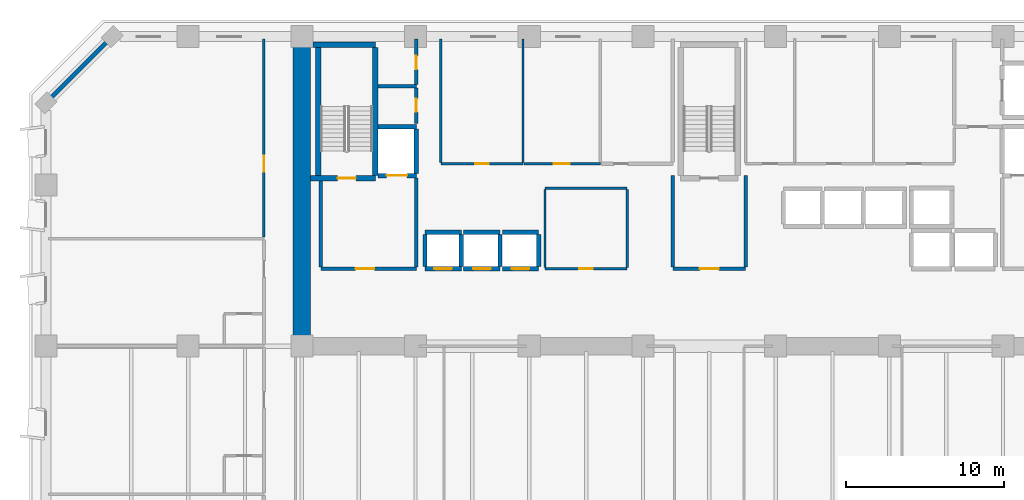
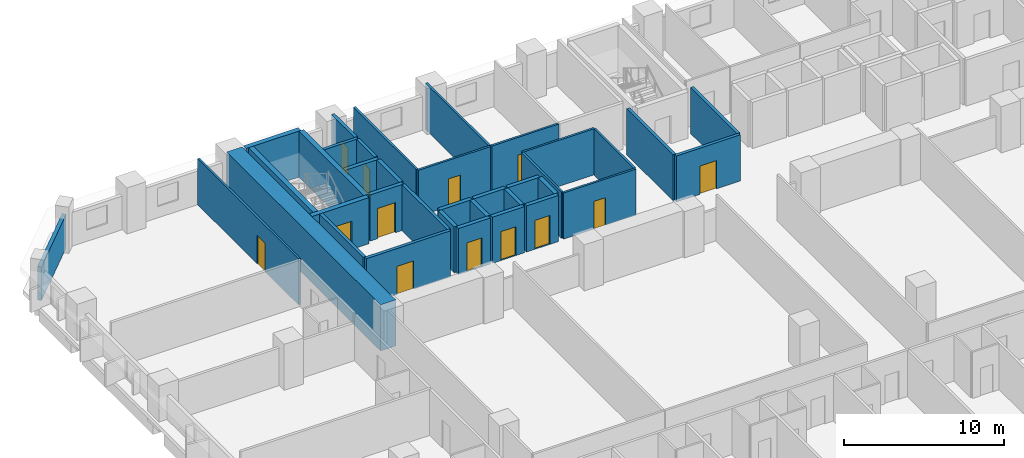
# One storey, part 8 of 16: 37 walls, 13 doors, 13 openings.
"""IFC4 building model written with IfcOpenShell, lengths in metres."""

from ifc_helpers import new_model, si_unit, direction, frame, frame_2d, origin, place, context, subcontext, project, spatial, rectangle, extrude, material, layer, layer_set, type_object, element, fill, save


model = new_model("IFC4")

# Units and contexts
model_context = context("Model", 3, precision=1e-05, world=origin(), true_north=direction((0.0, 1.0)))
body_context = subcontext(model_context, "Body", "Model", "MODEL_VIEW")
ifc_project = project(units=[si_unit("LENGTHUNIT", "METRE"), si_unit("AREAUNIT", "SQUARE_METRE"), si_unit("VOLUMEUNIT", "CUBIC_METRE"), si_unit("PLANEANGLEUNIT", "RADIAN"), si_unit("MASSUNIT", "GRAM", prefix="KILO")], contexts=[model_context])

# Site, building, storey
site_placement = place(None, origin())
site = spatial("IfcSite", under=ifc_project, at=site_placement, CompositionType="ELEMENT")
building_placement = place(site_placement, origin())
building = spatial("IfcBuilding", under=site, at=building_placement, Name="Kaelvorn Grand Hotel", CompositionType="ELEMENT")
storey_placement = place(building_placement, frame((0.0, 0.0, 35.14990234375)))
storey = spatial("IfcBuildingStorey", under=building, at=storey_placement, Name="L06", CompositionType="ELEMENT", Elevation=35.14990234375)

# Walls
ifc_material_1 = material(Name="Concrete C80/95", Category="concrete")
ifc_layer_1 = layer(ifc_material_1, 1.10009765625)
ifc_layer_set_1 = layer_set([ifc_layer_1], Name="Concrete C80/95")
wall_type_1 = type_object("IfcWallType", Name="WL-CORE-1100-C80", PredefinedType="SHEAR", material=ifc_layer_set_1)
wall_1_placement = place(storey_placement, frame((16.199951171875, 29.39990234375, 0.0), z_axis=(0.0, 0.0, 1.0), x_axis=(0.0, 1.0, 0.0)))
element("IfcWall", 1, at=wall_1_placement, inside=storey, type_object=wall_type_1, Name="L06 Rear-Core West Shear Wall", PredefinedType="SHEAR", context=body_context, shape_type="SweptSolid", body=[
    extrude(rectangle(XDim=19.2001953125, YDim=1.10009765625, at=frame_2d((9.60009765625, 0.0))), origin(), (0.0, 0.0, 1.0), 3.510009765625),
])
ifc_material_2 = material(Name="Concrete C40/50", Category="concrete")
ifc_layer_2 = layer(ifc_material_2, 0.260009765625)
ifc_layer_set_2 = layer_set([ifc_layer_2], Name="Concrete C40/50")
wall_type_2 = type_object("IfcWallType", Name="WL-EXT-260-C40", PredefinedType="SOLIDWALL", material=ifc_layer_set_2)
wall_2_placement = place(storey_placement, frame((4.199951171875, 49.0, 0.0), z_axis=(0.0, 0.0, 1.0), x_axis=(-0.707106781187, -0.707106781187, 0.0)))
element("IfcWall", 2, at=wall_2_placement, inside=storey, type_object=wall_type_2, Name="L06 Exterior Architectural Concrete Wall 06", PredefinedType="SOLIDWALL", context=body_context, shape_type="SweptSolid", body=[
    extrude(rectangle(XDim=5.939697265625, YDim=0.260009765625, at=frame_2d((2.9697265625, 0.0))), origin(), (0.0, 0.0, 1.0), 2.56005859375),
])

# Wall, opening, door
ifc_material_3 = material(Name="Acoustic Gypsum & Stud Partition")
ifc_layer_3 = layer(ifc_material_3, 0.14990234375)
ifc_layer_set_3 = layer_set([ifc_layer_3], Name="Acoustic Gypsum & Stud Partition")
wall_type_3 = type_object("IfcWallType", Name="WL-PART-150-EI60", PredefinedType="PARTITIONING", material=ifc_layer_set_3)
wall_3_placement = place(storey_placement, frame((31.60009765625, 34.300048828125, 0.0), z_axis=(0.0, 0.0, 1.0), x_axis=(1.0, 0.0, 0.0)))
wall_3 = element("IfcWall", 3, at=wall_3_placement, inside=storey, type_object=wall_type_3, Name="L06 Core Telecoms & BMS Server Room S Partition", PredefinedType="PARTITIONING", context=body_context, shape_type="SweptSolid", body=[
    extrude(rectangle(XDim=5.199951171875, YDim=0.14990234375, at=frame_2d((2.60009765625, 0.0))), origin(), (0.0, 0.0, 1.0), 3.510009765625),
])
opening_1_placement = place(wall_3_placement, frame((2.175048828125, 0.0, 0.0)))
opening_1 = element("IfcOpeningElement", 4, at=opening_1_placement, cuts=wall_3, Name="Opening DI7", PredefinedType="OPENING", context=body_context, shape_type="SweptSolid", body=[
    extrude(rectangle(XDim=0.85009765625, YDim=2.10009765625, at=frame_2d((0.425048828125, 1.050048828125))), frame((0.0, 0.0849609375, 0.0), z_axis=(0.0, -1.0, 0.0), x_axis=(1.0, 0.0, 0.0)), (0.0, 0.0, 1.0), 0.169921875),
])
ifc_material_4 = material(Name="Powder-Coated Steel Leaf", Category="steel")
door_type_1 = type_object("IfcDoorType", Name="DR-INT-RISER-850x2100", OperationType="NOTDEFINED", PredefinedType="DOOR", material=ifc_material_4)
door_1_placement = place(opening_1_placement, origin())
door_1 = element("IfcDoor", 5, at=door_1_placement, inside=storey, type_object=door_type_1, Name="L06 Core Telecoms & BMS Server Room Door", OperationType="SINGLE_SWING_LEFT", OverallHeight=2.10009765625, OverallWidth=0.85009765625, PredefinedType="DOOR", context=body_context, shape_type="SweptSolid", body=[
    extrude(rectangle(XDim=0.85009765625, YDim=2.10009765625, at=frame_2d((0.425048828125, 1.050048828125))), frame((0.0, 0.02490234375, 0.0), z_axis=(0.0, -1.0, 0.0), x_axis=(1.0, 0.0, 0.0)), (0.0, 0.0, 1.0), 0.050048828125),
])
fill(opening_1, door_1)

# Walls
wall_4_placement = place(storey_placement, frame((31.60009765625, 39.39990234375, 0.0), z_axis=(0.0, 0.0, 1.0), x_axis=(1.0, 0.0, 0.0)))
element("IfcWall", 6, at=wall_4_placement, inside=storey, type_object=wall_type_3, Name="L06 Core Telecoms & BMS Server Room N Partition", PredefinedType="PARTITIONING", context=body_context, shape_type="SweptSolid", body=[
    extrude(rectangle(XDim=5.199951171875, YDim=0.14990234375, at=frame_2d((2.60009765625, 0.0))), origin(), (0.0, 0.0, 1.0), 3.510009765625),
])
for number, where, z_axis, x_axis, name in (
    (7, (31.60009765625, 34.3798828125, 0.0), (0.0, 0.0, 1.0), (0.0, 1.0, 0.0), "L06 Core Telecoms & BMS Server Room W Partition"),
    (8, (36.800048828125, 34.3798828125, 0.0), (0.0, 0.0, 1.0), (0.0, 1.0, 0.0), "L06 Core Telecoms & BMS Server Room E Partition"),
):
    element("IfcWall", number, at=place(storey_placement, frame(where, z_axis=z_axis, x_axis=x_axis)), inside=storey, type_object=wall_type_3, Name=name, PredefinedType="PARTITIONING", context=body_context, shape_type="SweptSolid", body=[
        extrude(rectangle(XDim=4.940185546875, YDim=0.14990234375, at=frame_2d((2.47021484375, 0.0))), origin(), (0.0, 0.0, 1.0), 3.510009765625),
    ])

# Wall, opening, door
wall_5_placement = place(storey_placement, frame((25.0, 40.949951171875, 0.0), z_axis=(0.0, 0.0, 1.0), x_axis=(1.0, 0.0, 0.0)))
wall_5 = element("IfcWall", 9, at=wall_5_placement, inside=storey, type_object=wall_type_3, Name="L06 Housekeeping & Linen Room S Partition", PredefinedType="PARTITIONING", context=body_context, shape_type="SweptSolid", body=[
    extrude(rectangle(XDim=5.199951171875, YDim=0.14990234375, at=frame_2d((2.60009765625, 0.0))), origin(), (0.0, 0.0, 1.0), 3.510009765625),
])
opening_2_placement = place(wall_5_placement, frame((2.175048828125, 0.0, 0.0)))
opening_2 = element("IfcOpeningElement", 10, at=opening_2_placement, cuts=wall_5, Name="Opening DI7", PredefinedType="OPENING", context=body_context, shape_type="SweptSolid", body=[
    extrude(rectangle(XDim=0.85009765625, YDim=2.10009765625, at=frame_2d((0.425048828125, 1.050048828125))), frame((0.0, 0.0849609375, 0.0), z_axis=(0.0, -1.0, 0.0), x_axis=(1.0, 0.0, 0.0)), (0.0, 0.0, 1.0), 0.169921875),
])
door_2_placement = place(opening_2_placement, origin())
door_2 = element("IfcDoor", 11, at=door_2_placement, inside=storey, type_object=door_type_1, Name="L06 Housekeeping & Linen Room Door", OperationType="SINGLE_SWING_RIGHT", OverallHeight=2.10009765625, OverallWidth=0.85009765625, PredefinedType="DOOR", context=body_context, shape_type="SweptSolid", body=[
    extrude(rectangle(XDim=0.85009765625, YDim=2.10009765625, at=frame_2d((0.425048828125, 1.050048828125))), frame((0.0, 0.02490234375, 0.0), z_axis=(0.0, -1.0, 0.0), x_axis=(1.0, 0.0, 0.0)), (0.0, 0.0, 1.0), 0.050048828125),
])
fill(opening_2, door_2)

# Walls
for number, where, z_axis, x_axis, name in (
    (12, (25.0, 41.030029296875, 0.0), (0.0, 0.0, 1.0), (0.0, 1.0, 0.0), "L06 Housekeeping & Linen Room W Partition"),
    (13, (30.199951171875, 41.030029296875, 0.0), (0.0, 0.0, 1.0), (0.0, 1.0, 0.0), "L06 Housekeeping & Linen Room E Partition"),
):
    element("IfcWall", number, at=place(storey_placement, frame(where, z_axis=z_axis, x_axis=x_axis)), inside=storey, type_object=wall_type_3, Name=name, PredefinedType="PARTITIONING", context=body_context, shape_type="SweptSolid", body=[
        extrude(rectangle(XDim=7.820068359375, YDim=0.14990234375, at=frame_2d((3.91015625, 0.0))), origin(), (0.0, 0.0, 1.0), 3.510009765625),
    ])

# Wall, opening, door
wall_6_placement = place(storey_placement, frame((30.280029296875, 40.949951171875, 0.0), z_axis=(0.0, 0.0, 1.0), x_axis=(1.0, 0.0, 0.0)))
wall_6 = element("IfcWall", 14, at=wall_6_placement, inside=storey, type_object=wall_type_3, Name="L06 Room Service Servery Pantry S Partition", PredefinedType="PARTITIONING", context=body_context, shape_type="SweptSolid", body=[
    extrude(rectangle(XDim=4.820068359375, YDim=0.14990234375, at=frame_2d((2.41015625, 0.0))), origin(), (0.0, 0.0, 1.0), 3.510009765625),
])
opening_3_placement = place(wall_6_placement, frame((1.8701171875, 0.0, 0.0)))
opening_3 = element("IfcOpeningElement", 15, at=opening_3_placement, cuts=wall_6, Name="Opening DI3", PredefinedType="OPENING", context=body_context, shape_type="SweptSolid", body=[
    extrude(rectangle(XDim=1.0, YDim=2.14990234375, at=frame_2d((0.5, 1.074951171875))), frame((0.0, 0.0849609375, 0.0), z_axis=(0.0, -1.0, 0.0), x_axis=(1.0, 0.0, 0.0)), (0.0, 0.0, 1.0), 0.169921875),
])
ifc_material_5 = material(Name="Timber Veneer Fire Leaf", Category="wood")
door_type_2 = type_object("IfcDoorType", Name="DR-INT-GUEST-1000x2150", OperationType="NOTDEFINED", PredefinedType="DOOR", material=ifc_material_5)
door_3_placement = place(opening_3_placement, origin())
door_3 = element("IfcDoor", 16, at=door_3_placement, inside=storey, type_object=door_type_2, Name="L06 Room Service Servery Pantry Door", OperationType="SINGLE_SWING_LEFT", OverallHeight=2.14990234375, OverallWidth=1.0, PredefinedType="DOOR", context=body_context, shape_type="SweptSolid", body=[
    extrude(rectangle(XDim=1.0, YDim=2.14990234375, at=frame_2d((0.5, 1.074951171875))), frame((0.0, 0.02490234375, 0.0), z_axis=(0.0, -1.0, 0.0), x_axis=(1.0, 0.0, 0.0)), (0.0, 0.0, 1.0), 0.050048828125),
])
fill(opening_3, door_3)

wall_7_placement = place(storey_placement, frame((13.800048828125, 36.294921875, 0.0), z_axis=(0.0, 0.0, 1.0), x_axis=(0.0, 1.0, 0.0)))
wall_7 = element("IfcWall", 17, at=wall_7_placement, inside=storey, type_object=wall_type_3, Name="L06 North-West Business Secretariat Office E Partition", PredefinedType="PARTITIONING", context=body_context, shape_type="SweptSolid", body=[
    extrude(rectangle(XDim=12.55517578125, YDim=0.14990234375, at=frame_2d((6.277587890625, 0.0))), origin(), (0.0, 0.0, 1.0), 3.510009765625),
])
opening_4_placement = place(wall_7_placement, frame((4.155029296875, 0.0, 0.0)))
opening_4 = element("IfcOpeningElement", 18, at=opening_4_placement, cuts=wall_7, Name="Opening DI3", PredefinedType="OPENING", context=body_context, shape_type="SweptSolid", body=[
    extrude(rectangle(XDim=1.0, YDim=2.14990234375, at=frame_2d((0.5, 1.074951171875))), frame((0.0, 0.0849609375, 0.0), z_axis=(0.0, -1.0, 0.0), x_axis=(1.0, 0.0, 0.0)), (0.0, 0.0, 1.0), 0.169921875),
])
door_4_placement = place(opening_4_placement, origin())
door_4 = element("IfcDoor", 19, at=door_4_placement, inside=storey, type_object=door_type_2, Name="L06 North-West Business Secretariat Office Door", OperationType="SINGLE_SWING_LEFT", OverallHeight=2.14990234375, OverallWidth=1.0, PredefinedType="DOOR", context=body_context, shape_type="SweptSolid", body=[
    extrude(rectangle(XDim=1.0, YDim=2.14990234375, at=frame_2d((0.5, 1.074951171875))), frame((0.0, 0.02490234375, 0.0), z_axis=(0.0, -1.0, 0.0), x_axis=(1.0, 0.0, 0.0)), (0.0, 0.0, 1.0), 0.050048828125),
])
fill(opening_4, door_4)

ifc_layer_4 = layer(ifc_material_2, 0.219970703125)
ifc_layer_set_4 = layer_set([ifc_layer_4], Name="Concrete C40/50")
wall_type_4 = type_object("IfcWallType", Name="WL-PART-220-EI120", PredefinedType="PARTITIONING", material=ifc_layer_set_4)
wall_8_placement = place(storey_placement, frame((17.39990234375, 34.300048828125, 0.0), z_axis=(0.0, 0.0, 1.0), x_axis=(1.0, 0.0, 0.0)))
wall_8 = element("IfcWall", 20, at=wall_8_placement, inside=storey, type_object=wall_type_4, Name="L06 Firefighting Lift Lobby 1 S Partition", PredefinedType="PARTITIONING", context=body_context, shape_type="SweptSolid", body=[
    extrude(rectangle(XDim=6.050048828125, YDim=0.219970703125, at=frame_2d((3.02490234375, 0.0))), origin(), (0.0, 0.0, 1.0), 3.510009765625),
])
opening_5_placement = place(wall_8_placement, frame((2.199951171875, 0.0, 0.0)))
opening_5 = element("IfcOpeningElement", 21, at=opening_5_placement, cuts=wall_8, Name="Opening DI2", PredefinedType="OPENING", context=body_context, shape_type="SweptSolid", body=[
    extrude(rectangle(XDim=1.199951171875, YDim=2.14990234375, at=frame_2d((0.60009765625, 1.074951171875))), frame((0.0, 0.1201171875, 0.0), z_axis=(0.0, -1.0, 0.0), x_axis=(1.0, 0.0, 0.0)), (0.0, 0.0, 1.0), 0.239990234375),
])
door_type_3 = type_object("IfcDoorType", Name="DR-INT-FFLOB-1200x2150", OperationType="NOTDEFINED", PredefinedType="DOOR", material=ifc_material_5)
door_5_placement = place(opening_5_placement, origin())
door_5 = element("IfcDoor", 22, at=door_5_placement, inside=storey, type_object=door_type_3, Name="L06 Firefighting Lift Lobby 1 Door", OperationType="SINGLE_SWING_LEFT", OverallHeight=2.14990234375, OverallWidth=1.199951171875, PredefinedType="DOOR", context=body_context, shape_type="SweptSolid", body=[
    extrude(rectangle(XDim=1.199951171875, YDim=2.14990234375, at=frame_2d((0.60009765625, 1.074951171875))), frame((0.0, 0.02490234375, 0.0), z_axis=(0.0, -1.0, 0.0), x_axis=(1.0, 0.0, 0.0)), (0.0, 0.0, 1.0), 0.050048828125),
])
fill(opening_5, door_5)

# Walls
wall_9_placement = place(storey_placement, frame((17.39990234375, 34.4150390625, 0.0), z_axis=(0.0, 0.0, 1.0), x_axis=(0.0, 1.0, 0.0)))
element("IfcWall", 23, at=wall_9_placement, inside=storey, type_object=wall_type_4, Name="L06 Firefighting Lift Lobby 1 W Partition", PredefinedType="PARTITIONING", context=body_context, shape_type="SweptSolid", body=[
    extrude(rectangle(XDim=5.429931640625, YDim=0.219970703125, at=frame_2d((2.71484375, 0.0))), origin(), (0.0, 0.0, 1.0), 3.510009765625),
])
wall_10_placement = place(storey_placement, frame((23.449951171875, 34.4150390625, 0.0), z_axis=(0.0, 0.0, 1.0), x_axis=(0.0, 1.0, 0.0)))
element("IfcWall", 24, at=wall_10_placement, inside=storey, type_object=wall_type_4, Name="L06 Firefighting Lift Lobby 1 E Partition", PredefinedType="PARTITIONING", context=body_context, shape_type="SweptSolid", body=[
    extrude(rectangle(XDim=5.639892578125, YDim=0.219970703125, at=frame_2d((2.81982421875, 0.0))), origin(), (0.0, 0.0, 1.0), 3.510009765625),
])

# Wall, opening, door
wall_11_placement = place(storey_placement, frame((39.699951171875, 34.300048828125, 0.0), z_axis=(0.0, 0.0, 1.0), x_axis=(1.0, 0.0, 0.0)))
wall_11 = element("IfcWall", 25, at=wall_11_placement, inside=storey, type_object=wall_type_4, Name="L06 Central Stair Escape Vestibule S Partition", PredefinedType="PARTITIONING", context=body_context, shape_type="SweptSolid", body=[
    extrude(rectangle(XDim=4.60009765625, YDim=0.219970703125, at=frame_2d((2.300048828125, 0.0))), origin(), (0.0, 0.0, 1.0), 3.510009765625),
])
opening_6_placement = place(wall_11_placement, frame((1.699951171875, 0.0, 0.0)))
opening_6 = element("IfcOpeningElement", 26, at=opening_6_placement, cuts=wall_11, Name="Opening DI2", PredefinedType="OPENING", context=body_context, shape_type="SweptSolid", body=[
    extrude(rectangle(XDim=1.199951171875, YDim=2.14990234375, at=frame_2d((0.60009765625, 1.074951171875))), frame((0.0, 0.1201171875, 0.0), z_axis=(0.0, -1.0, 0.0), x_axis=(1.0, 0.0, 0.0)), (0.0, 0.0, 1.0), 0.239990234375),
])
door_6_placement = place(opening_6_placement, origin())
door_6 = element("IfcDoor", 27, at=door_6_placement, inside=storey, type_object=door_type_3, Name="L06 Central Stair Escape Vestibule Door", OperationType="SINGLE_SWING_LEFT", OverallHeight=2.14990234375, OverallWidth=1.199951171875, PredefinedType="DOOR", context=body_context, shape_type="SweptSolid", body=[
    extrude(rectangle(XDim=1.199951171875, YDim=2.14990234375, at=frame_2d((0.60009765625, 1.074951171875))), frame((0.0, 0.02490234375, 0.0), z_axis=(0.0, -1.0, 0.0), x_axis=(1.0, 0.0, 0.0)), (0.0, 0.0, 1.0), 0.050048828125),
])
fill(opening_6, door_6)

# Walls
for number, where, z_axis, x_axis, name in (
    (28, (39.699951171875, 34.4150390625, 0.0), (0.0, 0.0, 1.0), (0.0, 1.0, 0.0), "L06 Central Stair Escape Vestibule W Partition"),
    (29, (44.300048828125, 34.4150390625, 0.0), (0.0, 0.0, 1.0), (0.0, 1.0, 0.0), "L06 Central Stair Escape Vestibule E Partition"),
):
    element("IfcWall", number, at=place(storey_placement, frame(where, z_axis=z_axis, x_axis=x_axis)), inside=storey, type_object=wall_type_4, Name=name, PredefinedType="PARTITIONING", context=body_context, shape_type="SweptSolid", body=[
        extrude(rectangle(XDim=5.784912109375, YDim=0.219970703125, at=frame_2d((2.892578125, 0.0))), origin(), (0.0, 0.0, 1.0), 3.510009765625),
    ])
wall_12_placement = place(storey_placement, frame((21.034912109375, 45.85009765625, 0.0), z_axis=(0.0, 0.0, 1.0), x_axis=(1.0, 0.0, 0.0)))
element("IfcWall", 30, at=wall_12_placement, inside=storey, type_object=wall_type_4, Name="L06 Wet Fire & Plumbing Riser Shaft N Partition", PredefinedType="PARTITIONING", context=body_context, shape_type="SweptSolid", body=[
    extrude(rectangle(XDim=2.4150390625, YDim=0.219970703125, at=frame_2d((1.20751953125, 0.0))), origin(), (0.0, 0.0, 1.0), 3.510009765625),
])

# Wall, opening, door
wall_13_placement = place(storey_placement, frame((23.449951171875, 43.5, 0.0), z_axis=(0.0, 0.0, 1.0), x_axis=(0.0, 1.0, 0.0)))
wall_13 = element("IfcWall", 31, at=wall_13_placement, inside=storey, type_object=wall_type_4, Name="L06 Wet Fire & Plumbing Riser Shaft E Partition", PredefinedType="PARTITIONING", context=body_context, shape_type="SweptSolid", body=[
    extrude(rectangle(XDim=2.235107421875, YDim=0.219970703125, at=frame_2d((1.11767578125, 0.0))), origin(), (0.0, 0.0, 1.0), 3.510009765625),
])
opening_7_placement = place(wall_13_placement, frame((0.72509765625, 0.0, 0.0)))
opening_7 = element("IfcOpeningElement", 32, at=opening_7_placement, cuts=wall_13, Name="Opening DI7", PredefinedType="OPENING", context=body_context, shape_type="SweptSolid", body=[
    extrude(rectangle(XDim=0.85009765625, YDim=2.10009765625, at=frame_2d((0.425048828125, 1.050048828125))), frame((0.0, 0.1201171875, 0.0), z_axis=(0.0, -1.0, 0.0), x_axis=(1.0, 0.0, 0.0)), (0.0, 0.0, 1.0), 0.239990234375),
])
door_7_placement = place(opening_7_placement, origin())
door_7 = element("IfcDoor", 33, at=door_7_placement, inside=storey, type_object=door_type_1, Name="L06 Wet Fire & Plumbing Riser Shaft Door", OperationType="SINGLE_SWING_LEFT", OverallHeight=2.10009765625, OverallWidth=0.85009765625, PredefinedType="DOOR", context=body_context, shape_type="SweptSolid", body=[
    extrude(rectangle(XDim=0.85009765625, YDim=2.10009765625, at=frame_2d((0.425048828125, 1.050048828125))), frame((0.0, 0.02490234375, 0.0), z_axis=(0.0, -1.0, 0.0), x_axis=(1.0, 0.0, 0.0)), (0.0, 0.0, 1.0), 0.050048828125),
])
fill(opening_7, door_7)

wall_14_placement = place(storey_placement, frame((23.449951171875, 45.965087890625, 0.0), z_axis=(0.0, 0.0, 1.0), x_axis=(0.0, 1.0, 0.0)))
wall_14 = element("IfcWall", 34, at=wall_14_placement, inside=storey, type_object=wall_type_4, Name="L06 HV Electrical & Smoke Riser E Partition", PredefinedType="PARTITIONING", context=body_context, shape_type="SweptSolid", body=[
    extrude(rectangle(XDim=2.885009765625, YDim=0.219970703125, at=frame_2d((1.4423828125, 0.0))), origin(), (0.0, 0.0, 1.0), 3.510009765625),
])
opening_8_placement = place(wall_14_placement, frame((0.9599609375, 0.0, 0.0)))
opening_8 = element("IfcOpeningElement", 35, at=opening_8_placement, cuts=wall_14, Name="Opening DI7", PredefinedType="OPENING", context=body_context, shape_type="SweptSolid", body=[
    extrude(rectangle(XDim=0.85009765625, YDim=2.10009765625, at=frame_2d((0.425048828125, 1.050048828125))), frame((0.0, 0.1201171875, 0.0), z_axis=(0.0, -1.0, 0.0), x_axis=(1.0, 0.0, 0.0)), (0.0, 0.0, 1.0), 0.239990234375),
])
door_8_placement = place(opening_8_placement, origin())
door_8 = element("IfcDoor", 36, at=door_8_placement, inside=storey, type_object=door_type_1, Name="L06 HV Electrical & Smoke Riser Door", OperationType="SINGLE_SWING_RIGHT", OverallHeight=2.10009765625, OverallWidth=0.85009765625, PredefinedType="DOOR", context=body_context, shape_type="SweptSolid", body=[
    extrude(rectangle(XDim=0.85009765625, YDim=2.10009765625, at=frame_2d((0.425048828125, 1.050048828125))), frame((0.0, 0.02490234375, 0.0), z_axis=(0.0, -1.0, 0.0), x_axis=(1.0, 0.0, 0.0)), (0.0, 0.0, 1.0), 0.050048828125),
])
fill(opening_8, door_8)

ifc_material_6 = material(Name="Concrete C50/60", Category="concrete")
ifc_layer_5 = layer(ifc_material_6, 0.280029296875)
ifc_layer_set_5 = layer_set([ifc_layer_5], Name="Concrete C50/60")
wall_type_5 = type_object("IfcWallType", Name="WL-SHAFT-280-C50", PredefinedType="SHEAR", material=ifc_layer_set_5)
wall_15_placement = place(storey_placement, frame((24.0, 34.300048828125, 0.0), z_axis=(0.0, 0.0, 1.0), x_axis=(1.0, 0.0, 0.0)))
wall_15 = element("IfcWall", 37, at=wall_15_placement, inside=storey, type_object=wall_type_5, Name="L06 Lift PL-L1 Shaft South Wall", PredefinedType="SHEAR", context=body_context, shape_type="SweptSolid", body=[
    extrude(rectangle(XDim=2.300048828125, YDim=0.280029296875, at=frame_2d((1.14990234375, 0.0))), origin(), (0.0, 0.0, 1.0), 3.510009765625),
])
opening_9_placement = place(wall_15_placement, frame((0.60009765625, 0.0, 0.0)))
opening_9 = element("IfcOpeningElement", 38, at=opening_9_placement, cuts=wall_15, Name="Opening LD-PL-L1", PredefinedType="OPENING", context=body_context, shape_type="SweptSolid", body=[
    extrude(rectangle(XDim=1.10009765625, YDim=2.199951171875, at=frame_2d((0.550048828125, 1.10009765625))), frame((0.0, 0.14990234375, 0.0), z_axis=(0.0, -1.0, 0.0), x_axis=(1.0, 0.0, 0.0)), (0.0, 0.0, 1.0), 0.300048828125),
])
ifc_material_7 = material(Name="Stainless Steel", Category="steel")
door_type_4 = type_object("IfcDoorType", Name="DR-LIFT-PASS-1100x2200", OperationType="DOUBLE_DOOR_SLIDING", PredefinedType="DOOR", material=ifc_material_7)
door_9_placement = place(opening_9_placement, origin())
door_9 = element("IfcDoor", 39, at=door_9_placement, inside=storey, type_object=door_type_4, Name="L06 Lift PL-L1 Sliding Landing Door LD-PL-L1", OperationType="DOUBLE_DOOR_SLIDING", OverallHeight=2.199951171875, OverallWidth=1.10009765625, PredefinedType="DOOR", context=body_context, shape_type="SweptSolid", body=[
    extrude(rectangle(XDim=1.10009765625, YDim=2.199951171875, at=frame_2d((0.550048828125, 1.10009765625))), frame((0.0, 0.02490234375, 0.0), z_axis=(0.0, -1.0, 0.0), x_axis=(1.0, 0.0, 0.0)), (0.0, 0.0, 1.0), 0.050048828125),
])
fill(opening_9, door_9)

# Walls
wall_16_placement = place(storey_placement, frame((24.0, 36.60009765625, 0.0), z_axis=(0.0, 0.0, 1.0), x_axis=(1.0, 0.0, 0.0)))
element("IfcWall", 40, at=wall_16_placement, inside=storey, type_object=wall_type_5, Name="L06 Lift PL-L1 Shaft North Wall", PredefinedType="SHEAR", context=body_context, shape_type="SweptSolid", body=[
    extrude(rectangle(XDim=2.300048828125, YDim=0.280029296875, at=frame_2d((1.14990234375, 0.0))), origin(), (0.0, 0.0, 1.0), 3.510009765625),
])
for number, where, z_axis, x_axis, name in (
    (41, (24.0, 34.445068359375, 0.0), (0.0, 0.0, 1.0), (0.0, 1.0, 0.0), "L06 Lift PL-L1 Shaft West Wall"),
    (42, (26.300048828125, 34.445068359375, 0.0), (0.0, 0.0, 1.0), (0.0, 1.0, 0.0), "L06 Lift PL-L1 Shaft East Wall"),
):
    element("IfcWall", number, at=place(storey_placement, frame(where, z_axis=z_axis, x_axis=x_axis)), inside=storey, type_object=wall_type_5, Name=name, PredefinedType="SHEAR", context=body_context, shape_type="SweptSolid", body=[
        extrude(rectangle(XDim=2.010009765625, YDim=0.280029296875, at=frame_2d((1.0048828125, 0.0))), origin(), (0.0, 0.0, 1.0), 3.510009765625),
    ])

# Wall, opening, door
wall_17_placement = place(storey_placement, frame((26.449951171875, 34.300048828125, 0.0), z_axis=(0.0, 0.0, 1.0), x_axis=(1.0, 0.0, 0.0)))
wall_17 = element("IfcWall", 43, at=wall_17_placement, inside=storey, type_object=wall_type_5, Name="L06 Lift PL-L2 Shaft South Wall", PredefinedType="SHEAR", context=body_context, shape_type="SweptSolid", body=[
    extrude(rectangle(XDim=2.300048828125, YDim=0.280029296875, at=frame_2d((1.14990234375, 0.0))), origin(), (0.0, 0.0, 1.0), 3.510009765625),
])
opening_10_placement = place(wall_17_placement, frame((0.60009765625, 0.0, 0.0)))
opening_10 = element("IfcOpeningElement", 44, at=opening_10_placement, cuts=wall_17, Name="Opening LD-PL-L2", PredefinedType="OPENING", context=body_context, shape_type="SweptSolid", body=[
    extrude(rectangle(XDim=1.10009765625, YDim=2.199951171875, at=frame_2d((0.550048828125, 1.10009765625))), frame((0.0, 0.14990234375, 0.0), z_axis=(0.0, -1.0, 0.0), x_axis=(1.0, 0.0, 0.0)), (0.0, 0.0, 1.0), 0.300048828125),
])
door_10_placement = place(opening_10_placement, origin())
door_10 = element("IfcDoor", 45, at=door_10_placement, inside=storey, type_object=door_type_4, Name="L06 Lift PL-L2 Sliding Landing Door LD-PL-L2", OperationType="DOUBLE_DOOR_SLIDING", OverallHeight=2.199951171875, OverallWidth=1.10009765625, PredefinedType="DOOR", context=body_context, shape_type="SweptSolid", body=[
    extrude(rectangle(XDim=1.10009765625, YDim=2.199951171875, at=frame_2d((0.550048828125, 1.10009765625))), frame((0.0, 0.02490234375, 0.0), z_axis=(0.0, -1.0, 0.0), x_axis=(1.0, 0.0, 0.0)), (0.0, 0.0, 1.0), 0.050048828125),
])
fill(opening_10, door_10)

# Walls
wall_18_placement = place(storey_placement, frame((26.449951171875, 36.60009765625, 0.0), z_axis=(0.0, 0.0, 1.0), x_axis=(1.0, 0.0, 0.0)))
element("IfcWall", 46, at=wall_18_placement, inside=storey, type_object=wall_type_5, Name="L06 Lift PL-L2 Shaft North Wall", PredefinedType="SHEAR", context=body_context, shape_type="SweptSolid", body=[
    extrude(rectangle(XDim=2.300048828125, YDim=0.280029296875, at=frame_2d((1.14990234375, 0.0))), origin(), (0.0, 0.0, 1.0), 3.510009765625),
])
wall_19_placement = place(storey_placement, frame((28.75, 34.445068359375, 0.0), z_axis=(0.0, 0.0, 1.0), x_axis=(0.0, 1.0, 0.0)))
element("IfcWall", 47, at=wall_19_placement, inside=storey, type_object=wall_type_5, Name="L06 Lift PL-L2 Shaft East Wall", PredefinedType="SHEAR", context=body_context, shape_type="SweptSolid", body=[
    extrude(rectangle(XDim=2.010009765625, YDim=0.280029296875, at=frame_2d((1.0048828125, 0.0))), origin(), (0.0, 0.0, 1.0), 3.510009765625),
])

# Wall, opening, door
wall_20_placement = place(storey_placement, frame((28.89990234375, 34.300048828125, 0.0), z_axis=(0.0, 0.0, 1.0), x_axis=(1.0, 0.0, 0.0)))
wall_20 = element("IfcWall", 48, at=wall_20_placement, inside=storey, type_object=wall_type_5, Name="L06 Lift PL-L3 Shaft South Wall", PredefinedType="SHEAR", context=body_context, shape_type="SweptSolid", body=[
    extrude(rectangle(XDim=2.300048828125, YDim=0.280029296875, at=frame_2d((1.14990234375, 0.0))), origin(), (0.0, 0.0, 1.0), 3.510009765625),
])
opening_11_placement = place(wall_20_placement, frame((0.60009765625, 0.0, 0.0)))
opening_11 = element("IfcOpeningElement", 49, at=opening_11_placement, cuts=wall_20, Name="Opening LD-PL-L3", PredefinedType="OPENING", context=body_context, shape_type="SweptSolid", body=[
    extrude(rectangle(XDim=1.10009765625, YDim=2.199951171875, at=frame_2d((0.550048828125, 1.10009765625))), frame((0.0, 0.14990234375, 0.0), z_axis=(0.0, -1.0, 0.0), x_axis=(1.0, 0.0, 0.0)), (0.0, 0.0, 1.0), 0.300048828125),
])
door_11_placement = place(opening_11_placement, origin())
door_11 = element("IfcDoor", 50, at=door_11_placement, inside=storey, type_object=door_type_4, Name="L06 Lift PL-L3 Sliding Landing Door LD-PL-L3", OperationType="DOUBLE_DOOR_SLIDING", OverallHeight=2.199951171875, OverallWidth=1.10009765625, PredefinedType="DOOR", context=body_context, shape_type="SweptSolid", body=[
    extrude(rectangle(XDim=1.10009765625, YDim=2.199951171875, at=frame_2d((0.550048828125, 1.10009765625))), frame((0.0, 0.02490234375, 0.0), z_axis=(0.0, -1.0, 0.0), x_axis=(1.0, 0.0, 0.0)), (0.0, 0.0, 1.0), 0.050048828125),
])
fill(opening_11, door_11)

# Walls
wall_21_placement = place(storey_placement, frame((28.89990234375, 36.60009765625, 0.0), z_axis=(0.0, 0.0, 1.0), x_axis=(1.0, 0.0, 0.0)))
element("IfcWall", 51, at=wall_21_placement, inside=storey, type_object=wall_type_5, Name="L06 Lift PL-L3 Shaft North Wall", PredefinedType="SHEAR", context=body_context, shape_type="SweptSolid", body=[
    extrude(rectangle(XDim=2.300048828125, YDim=0.280029296875, at=frame_2d((1.14990234375, 0.0))), origin(), (0.0, 0.0, 1.0), 3.510009765625),
])
wall_22_placement = place(storey_placement, frame((31.199951171875, 34.445068359375, 0.0), z_axis=(0.0, 0.0, 1.0), x_axis=(0.0, 1.0, 0.0)))
element("IfcWall", 52, at=wall_22_placement, inside=storey, type_object=wall_type_5, Name="L06 Lift PL-L3 Shaft East Wall", PredefinedType="SHEAR", context=body_context, shape_type="SweptSolid", body=[
    extrude(rectangle(XDim=2.010009765625, YDim=0.280029296875, at=frame_2d((1.0048828125, 0.0))), origin(), (0.0, 0.0, 1.0), 3.510009765625),
])

# Wall, opening, door
wall_23_placement = place(storey_placement, frame((21.034912109375, 40.199951171875, 0.0), z_axis=(0.0, 0.0, 1.0), x_axis=(1.0, 0.0, 0.0)))
wall_23 = element("IfcWall", 53, at=wall_23_placement, inside=storey, type_object=wall_type_5, Name="L06 Lift FFL1 Shaft South Wall", PredefinedType="SHEAR", context=body_context, shape_type="SweptSolid", body=[
    extrude(rectangle(XDim=2.4150390625, YDim=0.280029296875, at=frame_2d((1.20751953125, 0.0))), origin(), (0.0, 0.0, 1.0), 3.510009765625),
])
opening_12_placement = place(wall_23_placement, frame((0.5400390625, 0.0, 0.0)))
opening_12 = element("IfcOpeningElement", 54, at=opening_12_placement, cuts=wall_23, Name="Opening LD-FFL1", PredefinedType="OPENING", context=body_context, shape_type="SweptSolid", body=[
    extrude(rectangle(XDim=1.300048828125, YDim=2.300048828125, at=frame_2d((0.64990234375, 1.14990234375))), frame((0.0, 0.14990234375, 0.0), z_axis=(0.0, -1.0, 0.0), x_axis=(1.0, 0.0, 0.0)), (0.0, 0.0, 1.0), 0.300048828125),
])
door_type_5 = type_object("IfcDoorType", Name="DR-LIFT-SERV-1300x2300", OperationType="DOUBLE_DOOR_SLIDING", PredefinedType="DOOR", material=ifc_material_7)
door_12_placement = place(opening_12_placement, origin())
door_12 = element("IfcDoor", 55, at=door_12_placement, inside=storey, type_object=door_type_5, Name="L06 Lift FFL1 Sliding Landing Door LD-FFL1", OperationType="DOUBLE_DOOR_SLIDING", OverallHeight=2.300048828125, OverallWidth=1.300048828125, PredefinedType="DOOR", context=body_context, shape_type="SweptSolid", body=[
    extrude(rectangle(XDim=1.300048828125, YDim=2.300048828125, at=frame_2d((0.64990234375, 1.14990234375))), frame((0.0, 0.02490234375, 0.0), z_axis=(0.0, -1.0, 0.0), x_axis=(1.0, 0.0, 0.0)), (0.0, 0.0, 1.0), 0.050048828125),
])
fill(opening_12, door_12)

# Walls
wall_24_placement = place(storey_placement, frame((21.034912109375, 43.300048828125, 0.0), z_axis=(0.0, 0.0, 1.0), x_axis=(1.0, 0.0, 0.0)))
element("IfcWall", 56, at=wall_24_placement, inside=storey, type_object=wall_type_5, Name="L06 Lift FFL1 Shaft North Wall", PredefinedType="SHEAR", context=body_context, shape_type="SweptSolid", body=[
    extrude(rectangle(XDim=2.4150390625, YDim=0.280029296875, at=frame_2d((1.20751953125, 0.0))), origin(), (0.0, 0.0, 1.0), 3.510009765625),
])
wall_25_placement = place(storey_placement, frame((23.449951171875, 40.344970703125, 0.0), z_axis=(0.0, 0.0, 1.0), x_axis=(0.0, 1.0, 0.0)))
element("IfcWall", 57, at=wall_25_placement, inside=storey, type_object=wall_type_5, Name="L06 Lift FFL1 Shaft East Wall", PredefinedType="SHEAR", context=body_context, shape_type="SweptSolid", body=[
    extrude(rectangle(XDim=2.81005859375, YDim=0.280029296875, at=frame_2d((1.405029296875, 0.0))), origin(), (0.0, 0.0, 1.0), 3.510009765625),
])

# Wall, opening, door
ifc_material_8 = material(Name="Concrete C60/75", Category="concrete")
ifc_layer_6 = layer(ifc_material_8, 0.35009765625)
ifc_layer_set_6 = layer_set([ifc_layer_6], Name="Concrete C60/75")
wall_type_6 = type_object("IfcWallType", Name="WL-SHAFT-350-C60", PredefinedType="SHEAR", material=ifc_layer_set_6)
wall_26_placement = place(storey_placement, frame((16.7548828125, 40.02490234375, 0.0), z_axis=(0.0, 0.0, 1.0), x_axis=(1.0, 0.0, 0.0)))
wall_26 = element("IfcWall", 58, at=wall_26_placement, inside=storey, type_object=wall_type_6, Name="L06 ST1 Stair Shaft South Wall", PredefinedType="SHEAR", context=body_context, shape_type="SweptSolid", body=[
    extrude(rectangle(XDim=4.10009765625, YDim=0.35009765625, at=frame_2d((2.050048828125, 0.0))), origin(), (0.0, 0.0, 1.0), 3.510009765625),
])
opening_13_placement = place(wall_26_placement, frame((1.7099609375, 0.0, 0.0)))
opening_13 = element("IfcOpeningElement", 59, at=opening_13_placement, cuts=wall_26, Name="Opening DI1", PredefinedType="OPENING", context=body_context, shape_type="SweptSolid", body=[
    extrude(rectangle(XDim=1.14990234375, YDim=2.14990234375, at=frame_2d((0.574951171875, 1.074951171875))), frame((0.0, 0.18505859375, 0.0), z_axis=(0.0, -1.0, 0.0), x_axis=(1.0, 0.0, 0.0)), (0.0, 0.0, 1.0), 0.3701171875),
])
door_type_6 = type_object("IfcDoorType", Name="DR-INT-STAIR-1150x2150", OperationType="NOTDEFINED", PredefinedType="DOOR", material=ifc_material_5)
door_13_placement = place(opening_13_placement, origin())
door_13 = element("IfcDoor", 60, at=door_13_placement, inside=storey, type_object=door_type_6, Name="L06 ST1 Exit Stair Fire Door", OperationType="SINGLE_SWING_RIGHT", OverallHeight=2.14990234375, OverallWidth=1.14990234375, PredefinedType="DOOR", context=body_context, shape_type="SweptSolid", body=[
    extrude(rectangle(XDim=1.14990234375, YDim=2.14990234375, at=frame_2d((0.574951171875, 1.074951171875))), frame((0.0, 0.02490234375, 0.0), z_axis=(0.0, -1.0, 0.0), x_axis=(1.0, 0.0, 0.0)), (0.0, 0.0, 1.0), 0.050048828125),
])
fill(opening_13, door_13)

# Walls
wall_27_placement = place(storey_placement, frame((16.905029296875, 48.47509765625, 0.0), z_axis=(0.0, 0.0, 1.0), x_axis=(1.0, 0.0, 0.0)))
element("IfcWall", 61, at=wall_27_placement, inside=storey, type_object=wall_type_6, Name="L06 ST1 Stair Shaft North Wall", PredefinedType="SHEAR", context=body_context, shape_type="SweptSolid", body=[
    extrude(rectangle(XDim=3.949951171875, YDim=0.35009765625, at=frame_2d((1.97509765625, 0.0))), origin(), (0.0, 0.0, 1.0), 3.510009765625),
])
for number, where, z_axis, x_axis, name in (
    (62, (17.22509765625, 40.205078125, 0.0), (0.0, 0.0, 1.0), (0.0, 1.0, 0.0), "L06 ST1 Stair Shaft West Wall"),
    (63, (20.85498046875, 40.205078125, 0.0), (0.0, 0.0, 1.0), (0.0, 1.0, 0.0), "L06 ST1 Stair Shaft East Wall"),
):
    element("IfcWall", number, at=place(storey_placement, frame(where, z_axis=z_axis, x_axis=x_axis)), inside=storey, type_object=wall_type_6, Name=name, PredefinedType="SHEAR", context=body_context, shape_type="SweptSolid", body=[
        extrude(rectangle(XDim=8.08984375, YDim=0.35009765625, at=frame_2d((4.044921875, 0.0))), origin(), (0.0, 0.0, 1.0), 3.510009765625),
    ])

save(model, "model.ifc")
